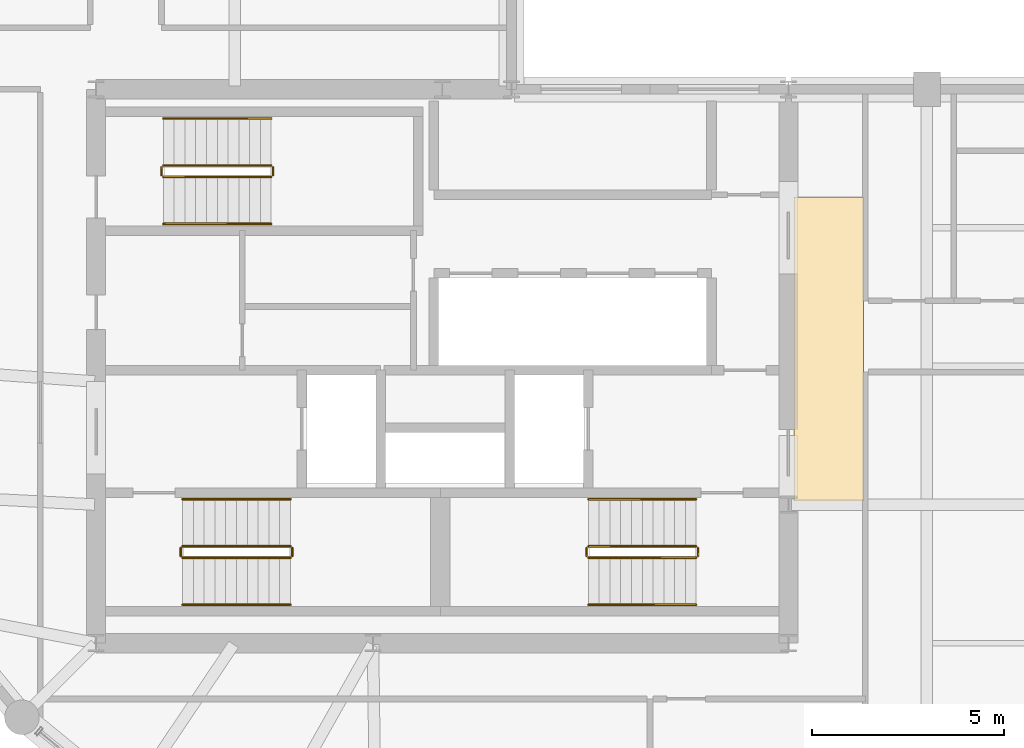
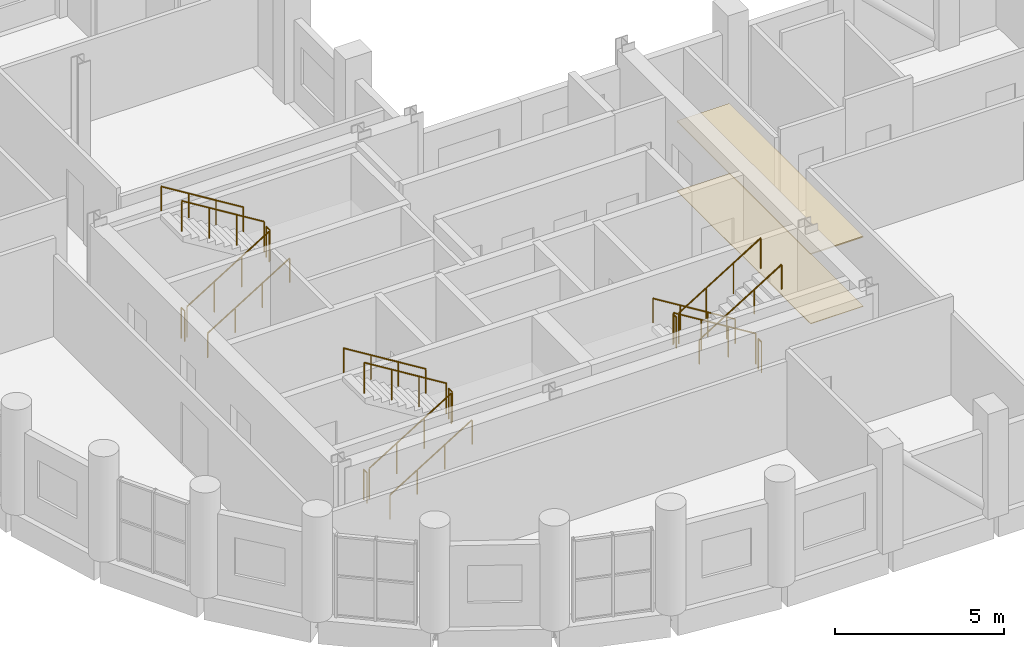
# One storey, part 12 of 12: 18 railings, 2 coverings.
"""IFC4 building model written with IfcOpenShell, lengths in metres."""

from ifc_helpers import new_model, si_unit, direction, frame, origin, origin_2d, place, context, subcontext, project, spatial, polyline, circle, outline, extrude, material, layer, layer_set, type_object, element, save


model = new_model("IFC4")

# Units and contexts
model_context = context("Model", 3, precision=1e-05, world=origin(), true_north=direction((0.0, 1.0)))
body_context = subcontext(model_context, "Body", "Model", "MODEL_VIEW")
ifc_project = project(units=[si_unit("LENGTHUNIT", "METRE"), si_unit("AREAUNIT", "SQUARE_METRE"), si_unit("VOLUMEUNIT", "CUBIC_METRE"), si_unit("PLANEANGLEUNIT", "RADIAN"), si_unit("MASSUNIT", "GRAM", prefix="KILO")], contexts=[model_context])

# Site, building, storey
site_placement = place(None, origin())
site = spatial("IfcSite", under=ifc_project, at=site_placement, CompositionType="ELEMENT")
building_placement = place(site_placement, origin())
building = spatial("IfcBuilding", under=site, at=building_placement, Name="Solnavia Interchange Tower", CompositionType="ELEMENT")
storey_placement = place(building_placement, frame((0.0, 0.0, 193.800048828125)))
storey = spatial("IfcBuildingStorey", under=building, at=storey_placement, Name="L48", CompositionType="ELEMENT", Elevation=193.800048828125)

# Coverings
ifc_material_1 = material(Name="Perforated Mineral-Fibre & Gypsum Ceiling", Category="gypsum")
ifc_layer_1 = layer(ifc_material_1, 0.0400390625)
ifc_layer_set_1 = layer_set([ifc_layer_1], Name="Perforated Mineral-Fibre & Gypsum Ceiling")
covering_type_1 = type_object("IfcCoveringType", Name="Covering-Ceiling-Acoustic40", PredefinedType="CEILING", material=ifc_layer_set_1)
covering_1_placement = place(storey_placement, frame((0.0, 0.0, 2.5)))
element("IfcCovering", 1, at=covering_1_placement, inside=storey, type_object=covering_type_1, Name="CLG-L48-01 Circulation suspended acoustic ceiling", PredefinedType="CEILING", context=body_context, shape_type="SweptSolid", body=[
    extrude(outline(polyline([(32.550048828125, 14.5), (34.35009765625, 14.5), (34.35009765625, 22.39990234375), (32.550048828125, 22.39990234375), (32.550048828125, 14.5)])), origin(), (0.0, 0.0, 1.0), 0.0400390625),
])
ifc_material_2 = material(Name="Engineered European Oak Flooring", Category="wood")
ifc_layer_2 = layer(ifc_material_2, 0.02001953125)
ifc_layer_set_2 = layer_set([ifc_layer_2], Name="Engineered European Oak Flooring")
covering_type_2 = type_object("IfcCoveringType", Name="Covering-Flooring-Timber20", PredefinedType="FLOORING", material=ifc_layer_set_2)
covering_2_placement = place(storey_placement, origin())
element("IfcCovering", 2, at=covering_2_placement, inside=storey, type_object=covering_type_2, Name="FLR-L48-01 Circulation floor finish", PredefinedType="FLOORING", context=body_context, shape_type="SweptSolid", body=[
    extrude(outline(polyline([(32.550048828125, 14.5), (34.35009765625, 14.5), (34.35009765625, 22.39990234375), (32.550048828125, 22.39990234375), (32.550048828125, 14.5)])), origin(), (0.0, 0.0, 1.0), 0.02001953125),
])

# Railings
ifc_material_3 = material(Name="Painted Steel Balustrade", Category="steel")
railing_type_1 = type_object("IfcRailingType", Name="Railing-StairGuard-1100", PredefinedType="GUARDRAIL", material=ifc_material_3)
railing_1_placement = place(storey_placement, frame((16.64990234375, 13.02001953125, 0.172607421875)))
element("IfcRailing", 3, at=railing_1_placement, inside=storey, type_object=railing_type_1, Name="L48 ST-1 stair guard 1", PredefinedType="GUARDRAIL", context=body_context, shape_type="SweptSolid", body=[
    extrude(circle(Radius=0.02392578125, at=origin_2d()), frame((0.0, 0.0, 1.09619140625), z_axis=(0.851089632645, 0.0, 0.525020415988), x_axis=(0.0, 1.0, 0.0)), (0.0, 0.0, 1.0), 3.2900390625),
    extrude(circle(Radius=0.02099609375, at=origin_2d()), origin(), (0.0, 0.0, 1.0), 1.072021484375),
    extrude(circle(Radius=0.02099609375, at=origin_2d()), frame((0.933349609375, 0.0, 0.57568359375)), (0.0, 0.0, 1.0), 1.072021484375),
    extrude(circle(Radius=0.02099609375, at=origin_2d()), frame((1.86669921875, 0.0, 1.151611328125)), (0.0, 0.0, 1.0), 1.072021484375),
    extrude(circle(Radius=0.02099609375, at=origin_2d()), frame((2.800048828125, 0.0, 1.727294921875)), (0.0, 0.0, 1.0), 1.072021484375),
])
railing_2_placement = place(storey_placement, frame((19.5, 13.070068359375, 1.89990234375)))
element("IfcRailing", 4, at=railing_2_placement, inside=storey, type_object=railing_type_1, Name="L48 ST-1 stair guard 2", PredefinedType="GUARDRAIL", context=body_context, shape_type="SweptSolid", body=[
    extrude(circle(Radius=0.02392578125, at=origin_2d()), frame((0.0, 0.0, 1.09619140625), z_axis=(0.0, 1.0, 0.0), x_axis=(-1.0, 0.0, 0.0)), (0.0, 0.0, 1.0), 0.199951171875),
    extrude(circle(Radius=0.02099609375, at=origin_2d()), origin(), (0.0, 0.0, 1.0), 1.072021484375),
    extrude(circle(Radius=0.02099609375, at=origin_2d()), frame((0.0, 0.199951171875, 0.0)), (0.0, 0.0, 1.0), 1.072021484375),
])
railing_3_placement = place(storey_placement, frame((19.449951171875, 13.320068359375, 2.07275390625)))
element("IfcRailing", 5, at=railing_3_placement, inside=storey, type_object=railing_type_1, Name="L48 ST-1 stair guard 3", PredefinedType="GUARDRAIL", context=body_context, shape_type="SweptSolid", body=[
    extrude(circle(Radius=0.02392578125, at=origin_2d()), frame((0.0, 0.0, 1.09619140625), z_axis=(-0.851089632645, 0.0, 0.525020415988), x_axis=(0.0, -1.0, 0.0)), (0.0, 0.0, 1.0), 3.2900390625),
    extrude(circle(Radius=0.02099609375, at=origin_2d()), origin(), (0.0, 0.0, 1.0), 1.072021484375),
    extrude(circle(Radius=0.02099609375, at=origin_2d()), frame((-0.933349609375, 0.0, 0.57568359375)), (0.0, 0.0, 1.0), 1.072021484375),
    extrude(circle(Radius=0.02099609375, at=origin_2d()), frame((-1.86669921875, 0.0, 1.151611328125)), (0.0, 0.0, 1.0), 1.072021484375),
    extrude(circle(Radius=0.02099609375, at=origin_2d()), frame((-2.800048828125, 0.0, 1.727294921875)), (0.0, 0.0, 1.0), 1.072021484375),
])
railing_4_placement = place(storey_placement, frame((16.60009765625, 13.070068359375, 0.0)))
element("IfcRailing", 6, at=railing_4_placement, inside=storey, type_object=railing_type_1, Name="L48 ST-1 stair guard 4", PredefinedType="GUARDRAIL", context=body_context, shape_type="SweptSolid", body=[
    extrude(circle(Radius=0.02392578125, at=origin_2d()), frame((0.0, 0.0, 1.09619140625), z_axis=(0.0, 1.0, 0.0), x_axis=(-1.0, 0.0, 0.0)), (0.0, 0.0, 1.0), 0.199951171875),
    extrude(circle(Radius=0.02099609375, at=origin_2d()), origin(), (0.0, 0.0, 1.0), 1.072021484375),
    extrude(circle(Radius=0.02099609375, at=origin_2d()), frame((0.0, 0.199951171875, 0.0)), (0.0, 0.0, 1.0), 1.072021484375),
])
railing_5_placement = place(storey_placement, frame((30.0, 13.320068359375, 0.172607421875)))
element("IfcRailing", 7, at=railing_5_placement, inside=storey, type_object=railing_type_1, Name="L48 ST-2 stair guard 1", PredefinedType="GUARDRAIL", context=body_context, shape_type="SweptSolid", body=[
    extrude(circle(Radius=0.02392578125, at=origin_2d()), frame((0.0, 0.0, 1.09619140625), z_axis=(-0.851089632645, 0.0, 0.525020415988), x_axis=(0.0, -1.0, 0.0)), (0.0, 0.0, 1.0), 3.2900390625),
    extrude(circle(Radius=0.02099609375, at=origin_2d()), origin(), (0.0, 0.0, 1.0), 1.072021484375),
    extrude(circle(Radius=0.02099609375, at=origin_2d()), frame((-0.933349609375, 0.0, 0.57568359375)), (0.0, 0.0, 1.0), 1.072021484375),
    extrude(circle(Radius=0.02099609375, at=origin_2d()), frame((-1.86669921875, 0.0, 1.151611328125)), (0.0, 0.0, 1.0), 1.072021484375),
    extrude(circle(Radius=0.02099609375, at=origin_2d()), frame((-2.800048828125, 0.0, 1.727294921875)), (0.0, 0.0, 1.0), 1.072021484375),
])
railing_6_placement = place(storey_placement, frame((27.14990234375, 13.27001953125, 1.89990234375)))
element("IfcRailing", 8, at=railing_6_placement, inside=storey, type_object=railing_type_1, Name="L48 ST-2 stair guard 2", PredefinedType="GUARDRAIL", context=body_context, shape_type="SweptSolid", body=[
    extrude(circle(Radius=0.02392578125, at=origin_2d()), frame((0.0, 0.0, 1.09619140625), z_axis=(0.0, -1.0, 0.0), x_axis=(1.0, 0.0, 0.0)), (0.0, 0.0, 1.0), 0.199951171875),
    extrude(circle(Radius=0.02099609375, at=origin_2d()), origin(), (0.0, 0.0, 1.0), 1.072021484375),
    extrude(circle(Radius=0.02099609375, at=origin_2d()), frame((0.0, -0.199951171875, 0.0)), (0.0, 0.0, 1.0), 1.072021484375),
])
railing_7_placement = place(storey_placement, frame((27.199951171875, 13.02001953125, 2.07275390625)))
element("IfcRailing", 9, at=railing_7_placement, inside=storey, type_object=railing_type_1, Name="L48 ST-2 stair guard 3", PredefinedType="GUARDRAIL", context=body_context, shape_type="SweptSolid", body=[
    extrude(circle(Radius=0.02392578125, at=origin_2d()), frame((0.0, 0.0, 1.09619140625), z_axis=(0.851089632645, 0.0, 0.525020415988), x_axis=(0.0, 1.0, 0.0)), (0.0, 0.0, 1.0), 3.2900390625),
    extrude(circle(Radius=0.02099609375, at=origin_2d()), origin(), (0.0, 0.0, 1.0), 1.072021484375),
    extrude(circle(Radius=0.02099609375, at=origin_2d()), frame((0.933349609375, 0.0, 0.57568359375)), (0.0, 0.0, 1.0), 1.072021484375),
    extrude(circle(Radius=0.02099609375, at=origin_2d()), frame((1.86669921875, 0.0, 1.151611328125)), (0.0, 0.0, 1.0), 1.072021484375),
    extrude(circle(Radius=0.02099609375, at=origin_2d()), frame((2.800048828125, 0.0, 1.727294921875)), (0.0, 0.0, 1.0), 1.072021484375),
])
railing_8_placement = place(storey_placement, frame((30.050048828125, 13.27001953125, 0.0)))
element("IfcRailing", 10, at=railing_8_placement, inside=storey, type_object=railing_type_1, Name="L48 ST-2 stair guard 4", PredefinedType="GUARDRAIL", context=body_context, shape_type="SweptSolid", body=[
    extrude(circle(Radius=0.02392578125, at=origin_2d()), frame((0.0, 0.0, 1.09619140625), z_axis=(0.0, -1.0, 0.0), x_axis=(1.0, 0.0, 0.0)), (0.0, 0.0, 1.0), 0.199951171875),
    extrude(circle(Radius=0.02099609375, at=origin_2d()), origin(), (0.0, 0.0, 1.0), 1.072021484375),
    extrude(circle(Radius=0.02099609375, at=origin_2d()), frame((0.0, -0.199951171875, 0.0)), (0.0, 0.0, 1.0), 1.072021484375),
])
railing_9_placement = place(storey_placement, frame((16.14990234375, 22.919921875, 0.172607421875)))
element("IfcRailing", 11, at=railing_9_placement, inside=storey, type_object=railing_type_1, Name="L48 ST-3 stair guard 1", PredefinedType="GUARDRAIL", context=body_context, shape_type="SweptSolid", body=[
    extrude(circle(Radius=0.02392578125, at=origin_2d()), frame((0.0, 0.0, 1.09619140625), z_axis=(0.851089632645, 0.0, 0.525020415988), x_axis=(0.0, 1.0, 0.0)), (0.0, 0.0, 1.0), 3.2900390625),
    extrude(circle(Radius=0.02099609375, at=origin_2d()), origin(), (0.0, 0.0, 1.0), 1.072021484375),
    extrude(circle(Radius=0.02099609375, at=origin_2d()), frame((0.933349609375, 0.0, 0.57568359375)), (0.0, 0.0, 1.0), 1.072021484375),
    extrude(circle(Radius=0.02099609375, at=origin_2d()), frame((1.86669921875, 0.0, 1.151611328125)), (0.0, 0.0, 1.0), 1.072021484375),
    extrude(circle(Radius=0.02099609375, at=origin_2d()), frame((2.800048828125, 0.0, 1.727294921875)), (0.0, 0.0, 1.0), 1.072021484375),
])
railing_10_placement = place(storey_placement, frame((19.0, 22.969970703125, 1.89990234375)))
element("IfcRailing", 12, at=railing_10_placement, inside=storey, type_object=railing_type_1, Name="L48 ST-3 stair guard 2", PredefinedType="GUARDRAIL", context=body_context, shape_type="SweptSolid", body=[
    extrude(circle(Radius=0.02392578125, at=origin_2d()), frame((0.0, 0.0, 1.09619140625), z_axis=(0.0, 1.0, 0.0), x_axis=(-1.0, 0.0, 0.0)), (0.0, 0.0, 1.0), 0.199951171875),
    extrude(circle(Radius=0.02099609375, at=origin_2d()), origin(), (0.0, 0.0, 1.0), 1.072021484375),
    extrude(circle(Radius=0.02099609375, at=origin_2d()), frame((0.0, 0.199951171875, 0.0)), (0.0, 0.0, 1.0), 1.072021484375),
])
railing_11_placement = place(storey_placement, frame((18.949951171875, 23.219970703125, 2.07275390625)))
element("IfcRailing", 13, at=railing_11_placement, inside=storey, type_object=railing_type_1, Name="L48 ST-3 stair guard 3", PredefinedType="GUARDRAIL", context=body_context, shape_type="SweptSolid", body=[
    extrude(circle(Radius=0.02392578125, at=origin_2d()), frame((0.0, 0.0, 1.09619140625), z_axis=(-0.851089632645, 0.0, 0.525020415988), x_axis=(0.0, -1.0, 0.0)), (0.0, 0.0, 1.0), 3.2900390625),
    extrude(circle(Radius=0.02099609375, at=origin_2d()), origin(), (0.0, 0.0, 1.0), 1.072021484375),
    extrude(circle(Radius=0.02099609375, at=origin_2d()), frame((-0.933349609375, 0.0, 0.57568359375)), (0.0, 0.0, 1.0), 1.072021484375),
    extrude(circle(Radius=0.02099609375, at=origin_2d()), frame((-1.86669921875, 0.0, 1.151611328125)), (0.0, 0.0, 1.0), 1.072021484375),
    extrude(circle(Radius=0.02099609375, at=origin_2d()), frame((-2.800048828125, 0.0, 1.727294921875)), (0.0, 0.0, 1.0), 1.072021484375),
])
railing_12_placement = place(storey_placement, frame((16.10009765625, 22.969970703125, 0.0)))
element("IfcRailing", 14, at=railing_12_placement, inside=storey, type_object=railing_type_1, Name="L48 ST-3 stair guard 4", PredefinedType="GUARDRAIL", context=body_context, shape_type="SweptSolid", body=[
    extrude(circle(Radius=0.02392578125, at=origin_2d()), frame((0.0, 0.0, 1.09619140625), z_axis=(0.0, 1.0, 0.0), x_axis=(-1.0, 0.0, 0.0)), (0.0, 0.0, 1.0), 0.199951171875),
    extrude(circle(Radius=0.02099609375, at=origin_2d()), origin(), (0.0, 0.0, 1.0), 1.072021484375),
    extrude(circle(Radius=0.02099609375, at=origin_2d()), frame((0.0, 0.199951171875, 0.0)), (0.0, 0.0, 1.0), 1.072021484375),
])
ifc_material_4 = material(Name="Brushed Stainless Steel", Category="steel")
railing_type_2 = type_object("IfcRailingType", Name="Railing-StairHandrail-900", PredefinedType="HANDRAIL", material=ifc_material_4)
railing_13_placement = place(storey_placement, frame((16.64990234375, 11.800048828125, 0.172607421875)))
element("IfcRailing", 15, at=railing_13_placement, inside=storey, type_object=railing_type_2, Name="L48 ST-1 stair handrail 1", PredefinedType="HANDRAIL", context=body_context, shape_type="SweptSolid", body=[
    extrude(circle(Radius=0.02392578125, at=origin_2d()), frame((0.0, 0.0, 0.8759765625), z_axis=(0.851089632645, 0.0, 0.525020415988), x_axis=(0.0, 1.0, 0.0)), (0.0, 0.0, 1.0), 3.2900390625),
    extrude(circle(Radius=0.02099609375, at=origin_2d()), origin(), (0.0, 0.0, 1.0), 0.851806640625),
    extrude(circle(Radius=0.02099609375, at=origin_2d()), frame((0.933349609375, 0.0, 0.57568359375)), (0.0, 0.0, 1.0), 0.851806640625),
    extrude(circle(Radius=0.02099609375, at=origin_2d()), frame((1.86669921875, 0.0, 1.151611328125)), (0.0, 0.0, 1.0), 0.851806640625),
    extrude(circle(Radius=0.02099609375, at=origin_2d()), frame((2.800048828125, 0.0, 1.727294921875)), (0.0, 0.0, 1.0), 0.851806640625),
])
for number, where, name in (
    (16, (19.449951171875, 14.5400390625, 2.07275390625), "L48 ST-1 stair handrail 2"),
    (17, (30.0, 14.5400390625, 0.172607421875), "L48 ST-2 stair handrail 1"),
):
    element("IfcRailing", number, at=place(storey_placement, frame(where)), inside=storey, type_object=railing_type_2, Name=name, PredefinedType="HANDRAIL", context=body_context, shape_type="SweptSolid", body=[
        extrude(circle(Radius=0.02392578125, at=origin_2d()), frame((0.0, 0.0, 0.8759765625), z_axis=(-0.851089632645, 0.0, 0.525020415988), x_axis=(0.0, -1.0, 0.0)), (0.0, 0.0, 1.0), 3.2900390625),
        extrude(circle(Radius=0.02099609375, at=origin_2d()), origin(), (0.0, 0.0, 1.0), 0.851806640625),
        extrude(circle(Radius=0.02099609375, at=origin_2d()), frame((-0.933349609375, 0.0, 0.57568359375)), (0.0, 0.0, 1.0), 0.851806640625),
        extrude(circle(Radius=0.02099609375, at=origin_2d()), frame((-1.86669921875, 0.0, 1.151611328125)), (0.0, 0.0, 1.0), 0.851806640625),
        extrude(circle(Radius=0.02099609375, at=origin_2d()), frame((-2.800048828125, 0.0, 1.727294921875)), (0.0, 0.0, 1.0), 0.851806640625),
    ])
for number, where, name in (
    (18, (27.199951171875, 11.800048828125, 2.07275390625), "L48 ST-2 stair handrail 2"),
    (19, (16.14990234375, 21.699951171875, 0.172607421875), "L48 ST-3 stair handrail 1"),
):
    element("IfcRailing", number, at=place(storey_placement, frame(where)), inside=storey, type_object=railing_type_2, Name=name, PredefinedType="HANDRAIL", context=body_context, shape_type="SweptSolid", body=[
        extrude(circle(Radius=0.02392578125, at=origin_2d()), frame((0.0, 0.0, 0.8759765625), z_axis=(0.851089632645, 0.0, 0.525020415988), x_axis=(0.0, 1.0, 0.0)), (0.0, 0.0, 1.0), 3.2900390625),
        extrude(circle(Radius=0.02099609375, at=origin_2d()), origin(), (0.0, 0.0, 1.0), 0.851806640625),
        extrude(circle(Radius=0.02099609375, at=origin_2d()), frame((0.933349609375, 0.0, 0.57568359375)), (0.0, 0.0, 1.0), 0.851806640625),
        extrude(circle(Radius=0.02099609375, at=origin_2d()), frame((1.86669921875, 0.0, 1.151611328125)), (0.0, 0.0, 1.0), 0.851806640625),
        extrude(circle(Radius=0.02099609375, at=origin_2d()), frame((2.800048828125, 0.0, 1.727294921875)), (0.0, 0.0, 1.0), 0.851806640625),
    ])
railing_14_placement = place(storey_placement, frame((18.949951171875, 24.43994140625, 2.07275390625)))
element("IfcRailing", 20, at=railing_14_placement, inside=storey, type_object=railing_type_2, Name="L48 ST-3 stair handrail 2", PredefinedType="HANDRAIL", context=body_context, shape_type="SweptSolid", body=[
    extrude(circle(Radius=0.02392578125, at=origin_2d()), frame((0.0, 0.0, 0.8759765625), z_axis=(-0.851089632645, 0.0, 0.525020415988), x_axis=(0.0, -1.0, 0.0)), (0.0, 0.0, 1.0), 3.2900390625),
    extrude(circle(Radius=0.02099609375, at=origin_2d()), origin(), (0.0, 0.0, 1.0), 0.851806640625),
    extrude(circle(Radius=0.02099609375, at=origin_2d()), frame((-0.933349609375, 0.0, 0.57568359375)), (0.0, 0.0, 1.0), 0.851806640625),
    extrude(circle(Radius=0.02099609375, at=origin_2d()), frame((-1.86669921875, 0.0, 1.151611328125)), (0.0, 0.0, 1.0), 0.851806640625),
    extrude(circle(Radius=0.02099609375, at=origin_2d()), frame((-2.800048828125, 0.0, 1.727294921875)), (0.0, 0.0, 1.0), 0.851806640625),
])

save(model, "model.ifc")
